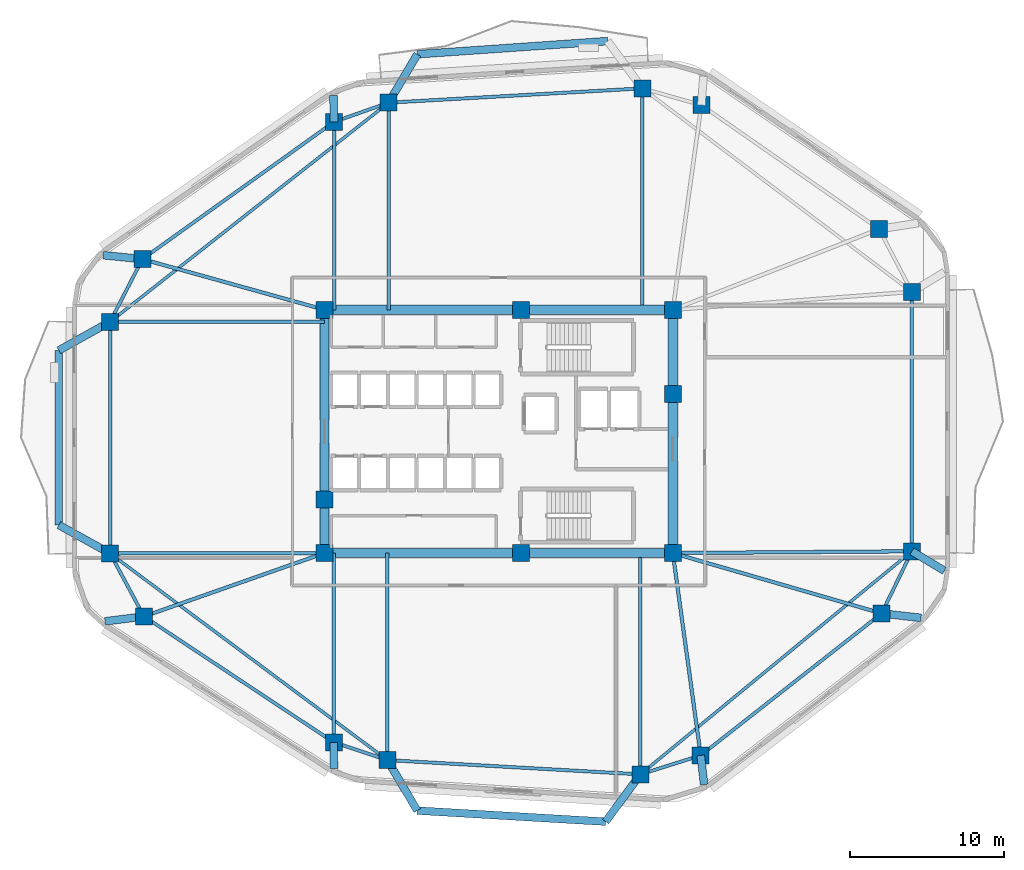
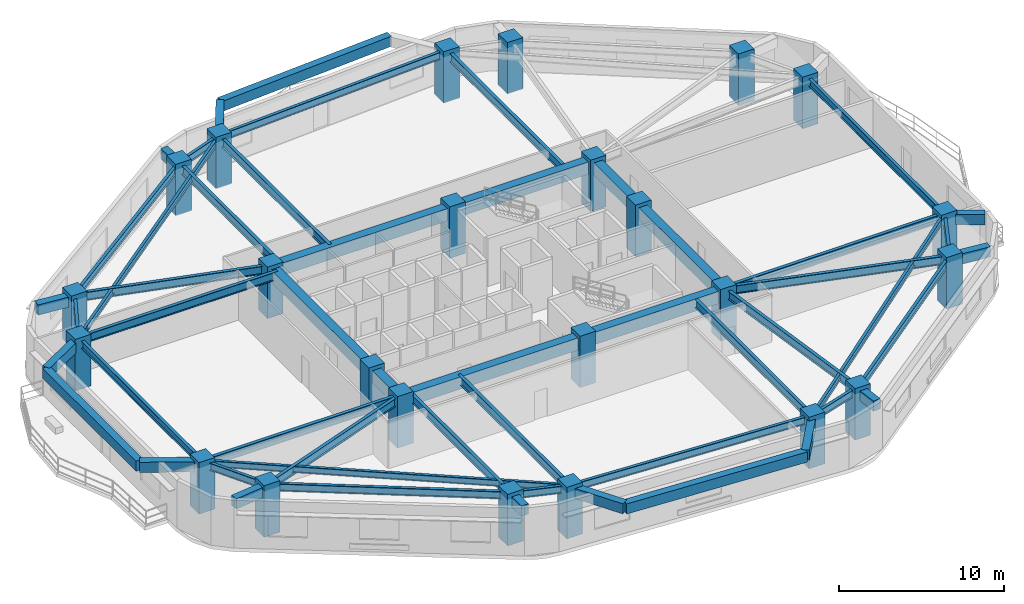
# One storey, part 1 of 9: 52 beams, 24 columns.
"""IFC4 building model written with IfcOpenShell, lengths in metres."""

from ifc_helpers import new_model, si_unit, direction, frame, origin, origin_2d, place, context, subcontext, project, spatial, rectangle, i_section, extrude, material, material_profile, profile_set, type_object, element, save


model = new_model("IFC4")

# Units and contexts
model_context = context("Model", 3, precision=1e-05, world=origin(), true_north=direction((0.0, 1.0)))
body_context = subcontext(model_context, "Body", "Model", "MODEL_VIEW")
ifc_project = project(units=[si_unit("LENGTHUNIT", "METRE"), si_unit("AREAUNIT", "SQUARE_METRE"), si_unit("VOLUMEUNIT", "CUBIC_METRE"), si_unit("PLANEANGLEUNIT", "RADIAN"), si_unit("MASSUNIT", "GRAM", prefix="KILO")], contexts=[model_context])

# Site, building, storey
site_placement = place(None, origin())
site = spatial("IfcSite", under=ifc_project, at=site_placement, CompositionType="ELEMENT")
building_placement = place(site_placement, origin())
building = spatial("IfcBuilding", under=site, at=building_placement, Name="Zulverin Broadcast Headquarters", CompositionType="ELEMENT")
storey_placement = place(building_placement, frame((0.0, 0.0, 104.800048828125)))
storey = spatial("IfcBuildingStorey", under=building, at=storey_placement, Name="L26", CompositionType="ELEMENT", Elevation=104.800048828125)

# Columns
ifc_material_1 = material(Name="Concrete C60/75", Category="concrete")
ifc_material_profile_1 = material_profile(ifc_material_1, rectangle(XDim=1.10009765625, YDim=1.10009765625, at=origin_2d()), Name="Concrete C60/75", Category="concrete")
ifc_profile_set_1 = profile_set([ifc_material_profile_1], Name="Concrete C60/75")
column_type_1 = type_object("IfcColumnType", Name="COL-RC-1100", PredefinedType="COLUMN", material=ifc_profile_set_1)
for number, where, z_axis, x_axis, name in (
    (1, (29.79638671875, 3.922119140625, 0.0), (0.0, 0.0, 1.0), (1.0, 0.0, 0.0), "L26 Perimeter Column T01"),
    (2, (46.175048828125, 2.997802734375, 0.0), (0.0, 0.0, 1.0), (1.0, 0.0, 0.0), "L26 Perimeter Column T02"),
    (3, (50.08056640625, 4.22509765625, 0.0), (0.0, 0.0, 1.0), (1.0, 0.0, 0.0), "L26 Perimeter Column T03"),
    (4, (61.79296875, 13.416259765625, 0.0), (0.0, 0.0, 1.0), (1.0, 0.0, 0.0), "L26 Perimeter Column T04"),
    (5, (63.75, 17.439697265625, 0.0), (0.0, 0.0, 1.0), (1.0, 0.0, 0.0), "L26 Perimeter Column T05"),
    (6, (63.75, 34.235107421875, 0.0), (0.0, 0.0, 1.0), (1.0, 0.0, 0.0), "L26 Perimeter Column T06"),
    (7, (61.630126953125, 38.298583984375, 0.0), (0.0, 0.0, 1.0), (1.0, 0.0, 0.0), "L26 Perimeter Column T07"),
    (8, (50.121826171875, 46.325927734375, 0.0), (0.0, 0.0, 1.0), (1.0, 0.0, 0.0), "L26 Perimeter Column T08"),
    (9, (46.30224609375, 47.4091796875, 0.0), (0.0, 0.0, 1.0), (1.0, 0.0, 0.0), "L26 Perimeter Column T09"),
    (10, (29.873779296875, 46.482177734375, 0.0), (0.0, 0.0, 1.0), (1.0, 0.0, 0.0), "L26 Perimeter Column T10"),
    (11, (26.344482421875, 45.23828125, 0.0), (0.0, 0.0, 1.0), (1.0, 0.0, 0.0), "L26 Perimeter Column T11"),
    (12, (13.934326171875, 36.353759765625, 0.0), (0.0, 0.0, 1.0), (1.0, 0.0, 0.0), "L26 Perimeter Column T12"),
    (13, (11.85009765625, 32.298095703125, 0.0), (0.0, 0.0, 1.0), (1.0, 0.0, 0.0), "L26 Perimeter Column T13"),
    (14, (11.85009765625, 17.297607421875, 0.0), (0.0, 0.0, 1.0), (1.0, 0.0, 0.0), "L26 Perimeter Column T14"),
    (15, (14.0390625, 13.219970703125, 0.0), (0.0, 0.0, 1.0), (1.0, 0.0, 0.0), "L26 Perimeter Column T15"),
    (16, (26.3251953125, 5.075927734375, 0.0), (0.0, 0.0, 1.0), (1.0, 0.0, 0.0), "L26 Perimeter Column T16"),
):
    element("IfcColumn", number, at=place(storey_placement, frame(where, z_axis=z_axis, x_axis=x_axis)), inside=storey, type_object=column_type_1, Name=name, PredefinedType="COLUMN", context=body_context, shape_type="SweptSolid", body=[
        extrude(rectangle(XDim=1.10009765625, YDim=1.10009765625, at=origin_2d()), origin(), (0.0, 0.0, 1.0), 3.800048828125),
    ])
ifc_material_profile_2 = material_profile(ifc_material_1, rectangle(XDim=1.10009765625, YDim=1.10009765625, at=origin_2d()), Name="Concrete C60/75", Category="concrete")
ifc_profile_set_2 = profile_set([ifc_material_profile_2], Name="Concrete C60/75")
column_type_2 = type_object("IfcColumnType", Name="PIL-RC-1100", PredefinedType="PILASTER", material=ifc_profile_set_2)
for number, where, z_axis, x_axis, name in (
    (17, (25.72509765625, 17.324951171875, 0.0), (0.0, 0.0, 1.0), (1.0, 0.0, 0.0), "L26 Core Pilaster K01"),
    (18, (38.449951171875, 17.324951171875, 0.0), (0.0, 0.0, 1.0), (1.0, 0.0, 0.0), "L26 Core Pilaster K02"),
    (19, (48.27490234375, 17.324951171875, 0.0), (0.0, 0.0, 1.0), (1.0, 0.0, 0.0), "L26 Core Pilaster K03"),
    (20, (48.27490234375, 27.6201171875, 0.0), (0.0, 0.0, 1.0), (1.0, 0.0, 0.0), "L26 Core Pilaster K04"),
    (21, (48.27490234375, 33.074951171875, 0.0), (0.0, 0.0, 1.0), (1.0, 0.0, 0.0), "L26 Core Pilaster K05"),
    (22, (38.449951171875, 33.074951171875, 0.0), (0.0, 0.0, 1.0), (1.0, 0.0, 0.0), "L26 Core Pilaster K06"),
    (23, (25.72509765625, 33.074951171875, 0.0), (0.0, 0.0, 1.0), (1.0, 0.0, 0.0), "L26 Core Pilaster K07"),
    (24, (25.72509765625, 20.800048828125, 0.0), (0.0, 0.0, 1.0), (1.0, 0.0, 0.0), "L26 Core Pilaster K08"),
):
    element("IfcColumn", number, at=place(storey_placement, frame(where, z_axis=z_axis, x_axis=x_axis)), inside=storey, type_object=column_type_2, Name=name, PredefinedType="PILASTER", context=body_context, shape_type="SweptSolid", body=[
        extrude(rectangle(XDim=1.10009765625, YDim=1.10009765625, at=origin_2d()), origin(), (0.0, 0.0, 1.0), 3.800048828125),
    ])

# Beams
ifc_material_profile_3 = material_profile(ifc_material_1, rectangle(XDim=0.60009765625, YDim=0.89990234375, at=origin_2d()), Name="Concrete C60/75", Category="concrete")
ifc_profile_set_3 = profile_set([ifc_material_profile_3], Name="Concrete C60/75")
beam_type_1 = type_object("IfcBeamType", Name="BM-CB-600x900", PredefinedType="LINTEL", material=ifc_profile_set_3)
beam_1_placement = place(storey_placement, frame((25.72509765625, 17.324951171875, 3.074951171875), z_axis=(1.0, 0.0, 0.0), x_axis=(0.0, 1.0, 0.0)))
element("IfcBeam", 25, at=beam_1_placement, inside=storey, type_object=beam_type_1, Name="L26 Core Coupling Girder K01-K02", PredefinedType="LINTEL", context=body_context, shape_type="SweptSolid", body=[
    extrude(rectangle(XDim=0.60009765625, YDim=0.89990234375, at=origin_2d()), origin(), (0.0, 0.0, 1.0), 12.724853515625),
])
beam_2_placement = place(storey_placement, frame((38.449951171875, 17.324951171875, 3.074951171875), z_axis=(1.0, 0.0, 0.0), x_axis=(0.0, 1.0, 0.0)))
element("IfcBeam", 26, at=beam_2_placement, inside=storey, type_object=beam_type_1, Name="L26 Core Coupling Girder K02-K03", PredefinedType="LINTEL", context=body_context, shape_type="SweptSolid", body=[
    extrude(rectangle(XDim=0.60009765625, YDim=0.89990234375, at=origin_2d()), origin(), (0.0, 0.0, 1.0), 9.824951171875),
])
beam_3_placement = place(storey_placement, frame((48.27490234375, 17.324951171875, 3.074951171875), z_axis=(0.0, 1.0, 0.0), x_axis=(-1.0, 0.0, 0.0)))
element("IfcBeam", 27, at=beam_3_placement, inside=storey, type_object=beam_type_1, Name="L26 Core Coupling Girder K03-K04", PredefinedType="LINTEL", context=body_context, shape_type="SweptSolid", body=[
    extrude(rectangle(XDim=0.60009765625, YDim=0.89990234375, at=origin_2d()), origin(), (0.0, 0.0, 1.0), 10.295166015625),
])
beam_4_placement = place(storey_placement, frame((48.27490234375, 27.6201171875, 3.074951171875), z_axis=(0.0, 1.0, 0.0), x_axis=(-1.0, 0.0, 0.0)))
element("IfcBeam", 28, at=beam_4_placement, inside=storey, type_object=beam_type_1, Name="L26 Core Coupling Girder K04-K05", PredefinedType="LINTEL", context=body_context, shape_type="SweptSolid", body=[
    extrude(rectangle(XDim=0.60009765625, YDim=0.89990234375, at=origin_2d()), origin(), (0.0, 0.0, 1.0), 5.454833984375),
])
beam_5_placement = place(storey_placement, frame((48.27490234375, 33.074951171875, 3.074951171875), z_axis=(-1.0, 0.0, 0.0), x_axis=(0.0, -1.0, 0.0)))
element("IfcBeam", 29, at=beam_5_placement, inside=storey, type_object=beam_type_1, Name="L26 Core Coupling Girder K05-K06", PredefinedType="LINTEL", context=body_context, shape_type="SweptSolid", body=[
    extrude(rectangle(XDim=0.60009765625, YDim=0.89990234375, at=origin_2d()), origin(), (0.0, 0.0, 1.0), 9.824951171875),
])
beam_6_placement = place(storey_placement, frame((38.449951171875, 33.074951171875, 3.074951171875), z_axis=(-1.0, 0.0, 0.0), x_axis=(0.0, -1.0, 0.0)))
element("IfcBeam", 30, at=beam_6_placement, inside=storey, type_object=beam_type_1, Name="L26 Core Coupling Girder K06-K07", PredefinedType="LINTEL", context=body_context, shape_type="SweptSolid", body=[
    extrude(rectangle(XDim=0.60009765625, YDim=0.89990234375, at=origin_2d()), origin(), (0.0, 0.0, 1.0), 12.724853515625),
])
beam_7_placement = place(storey_placement, frame((25.72509765625, 33.074951171875, 3.074951171875), z_axis=(0.0, -1.0, 0.0), x_axis=(1.0, 0.0, 0.0)))
element("IfcBeam", 31, at=beam_7_placement, inside=storey, type_object=beam_type_1, Name="L26 Core Coupling Girder K07-K08", PredefinedType="LINTEL", context=body_context, shape_type="SweptSolid", body=[
    extrude(rectangle(XDim=0.60009765625, YDim=0.89990234375, at=origin_2d()), origin(), (0.0, 0.0, 1.0), 12.27490234375),
])
beam_8_placement = place(storey_placement, frame((25.72509765625, 20.800048828125, 3.074951171875), z_axis=(0.0, -1.0, 0.0), x_axis=(1.0, 0.0, 0.0)))
element("IfcBeam", 32, at=beam_8_placement, inside=storey, type_object=beam_type_1, Name="L26 Core Coupling Girder K08-K01", PredefinedType="LINTEL", context=body_context, shape_type="SweptSolid", body=[
    extrude(rectangle(XDim=0.60009765625, YDim=0.89990234375, at=origin_2d()), origin(), (0.0, 0.0, 1.0), 3.47509765625),
])
ifc_material_2 = material(Name="Concrete C40/50", Category="concrete")
ifc_material_profile_4 = material_profile(ifc_material_2, rectangle(XDim=0.5, YDim=0.75, at=origin_2d()), Name="Concrete C40/50", Category="concrete")
ifc_profile_set_4 = profile_set([ifc_material_profile_4], Name="Concrete C40/50")
beam_type_2 = type_object("IfcBeamType", Name="BM-RC-500x750", PredefinedType="BEAM", material=ifc_profile_set_4)
beam_9_placement = place(storey_placement, frame((50.08056640625, 4.22509765625, 3.14990234375), z_axis=(0.115916621896, -0.99325894749, 0.0), x_axis=(0.99325894749, 0.115916621896, 0.0)))
element("IfcBeam", 33, at=beam_9_placement, inside=storey, type_object=beam_type_2, Name="L27 Plate Overhang Back-Spanned Beam OVR-03", PredefinedType="BEAM", context=body_context, shape_type="SweptSolid", body=[
    extrude(rectangle(XDim=0.5, YDim=0.75, at=origin_2d()), origin(), (0.0, 0.0, 1.0), 1.899658203125),
])
beam_10_placement = place(storey_placement, frame((61.79296875, 13.416259765625, 3.14990234375), z_axis=(0.993797661948, -0.111203449166, 0.0), x_axis=(0.111203449166, 0.993797661948, 0.0)))
element("IfcBeam", 34, at=beam_10_placement, inside=storey, type_object=beam_type_2, Name="L27 Plate Overhang Back-Spanned Beam OVR-04", PredefinedType="BEAM", context=body_context, shape_type="SweptSolid", body=[
    extrude(rectangle(XDim=0.5, YDim=0.75, at=origin_2d()), origin(), (0.0, 0.0, 1.0), 2.568603515625),
])
beam_11_placement = place(storey_placement, frame((63.75, 17.439697265625, 3.14990234375), z_axis=(0.858161199639, -0.513380322407, 0.0), x_axis=(0.513380322407, 0.858161199639, 0.0)))
element("IfcBeam", 35, at=beam_11_placement, inside=storey, type_object=beam_type_2, Name="L27 Plate Overhang Back-Spanned Beam OVR-05", PredefinedType="BEAM", context=body_context, shape_type="SweptSolid", body=[
    extrude(rectangle(XDim=0.5, YDim=0.75, at=origin_2d()), origin(), (0.0, 0.0, 1.0), 2.447265625),
])
beam_12_placement = place(storey_placement, frame((26.344482421875, 45.23828125, 3.14990234375), z_axis=(-0.025024345209, 0.999686842039, 0.0), x_axis=(-0.999686842039, -0.025024345209, 0.0)))
element("IfcBeam", 36, at=beam_12_placement, inside=storey, type_object=beam_type_2, Name="L27 Plate Overhang Back-Spanned Beam OVR-11", PredefinedType="BEAM", context=body_context, shape_type="SweptSolid", body=[
    extrude(rectangle(XDim=0.5, YDim=0.75, at=origin_2d()), origin(), (0.0, 0.0, 1.0), 1.707275390625),
])
beam_13_placement = place(storey_placement, frame((13.934326171875, 36.353759765625, 3.14990234375), z_axis=(-0.995008621602, 0.09978899207, 0.0), x_axis=(-0.09978899207, -0.995008621602, 0.0)))
element("IfcBeam", 37, at=beam_13_placement, inside=storey, type_object=beam_type_2, Name="L27 Plate Overhang Back-Spanned Beam OVR-12", PredefinedType="BEAM", context=body_context, shape_type="SweptSolid", body=[
    extrude(rectangle(XDim=0.5, YDim=0.75, at=origin_2d()), origin(), (0.0, 0.0, 1.0), 2.5419921875),
])
beam_14_placement = place(storey_placement, frame((14.0390625, 13.219970703125, 3.14990234375), z_axis=(-0.992258640565, -0.124188526941, 0.0), x_axis=(0.124188526941, -0.992258640565, 0.0)))
element("IfcBeam", 38, at=beam_14_placement, inside=storey, type_object=beam_type_2, Name="L27 Plate Overhang Back-Spanned Beam OVR-15", PredefinedType="BEAM", context=body_context, shape_type="SweptSolid", body=[
    extrude(rectangle(XDim=0.5, YDim=0.75, at=origin_2d()), origin(), (0.0, 0.0, 1.0), 2.5400390625),
])
beam_15_placement = place(storey_placement, frame((26.3251953125, 5.075927734375, 3.14990234375), z_axis=(0.006204786761, -0.999980750125, 0.0), x_axis=(0.999980750125, 0.006204786761, 0.0)))
element("IfcBeam", 39, at=beam_15_placement, inside=storey, type_object=beam_type_2, Name="L27 Plate Overhang Back-Spanned Beam OVR-16", PredefinedType="BEAM", context=body_context, shape_type="SweptSolid", body=[
    extrude(rectangle(XDim=0.5, YDim=0.75, at=origin_2d()), origin(), (0.0, 0.0, 1.0), 1.69189453125),
])
beam_16_placement = place(storey_placement, frame((29.873779296875, 46.482177734375, 3.14990234375), z_axis=(0.511007233639, 0.859576411477, 0.0), x_axis=(-0.859576411477, 0.511007233639, 0.0)))
element("IfcBeam", 40, at=beam_16_placement, inside=storey, type_object=beam_type_2, Name="L27 Balcony Column-Framed Cantilever BAL_N-2", PredefinedType="BEAM", context=body_context, shape_type="SweptSolid", body=[
    extrude(rectangle(XDim=0.5, YDim=0.75, at=origin_2d()), origin(), (0.0, 0.0, 1.0), 3.647705078125),
])
beam_17_placement = place(storey_placement, frame((44.049072265625, 50.46923828125, 3.14990234375), z_axis=(-0.997616354187, -0.069004419129, 0.0), x_axis=(0.069004419129, -0.997616354187, 0.0)))
element("IfcBeam", 41, at=beam_17_placement, inside=storey, type_object=beam_type_2, Name="L27 Balcony Outer Edge Trimmer Beam BAL_N", PredefinedType="BEAM", context=body_context, shape_type="SweptSolid", body=[
    extrude(rectangle(XDim=0.5, YDim=0.75, at=origin_2d()), origin(), (0.0, 0.0, 1.0), 12.340576171875),
])
beam_18_placement = place(storey_placement, frame((11.85009765625, 32.298095703125, 3.14990234375), z_axis=(-0.873763019306, -0.486351915893, 0.0), x_axis=(0.486351915893, -0.873763019306, 0.0)))
element("IfcBeam", 42, at=beam_18_placement, inside=storey, type_object=beam_type_2, Name="L27 Balcony Column-Framed Cantilever BAL_W-1", PredefinedType="BEAM", context=body_context, shape_type="SweptSolid", body=[
    extrude(rectangle(XDim=0.5, YDim=0.75, at=origin_2d()), origin(), (0.0, 0.0, 1.0), 3.800048828125),
])
beam_19_placement = place(storey_placement, frame((11.85009765625, 17.297607421875, 3.14990234375), z_axis=(-0.874363278793, 0.485271940975, 0.0), x_axis=(-0.485271940975, -0.874363278793, 0.0)))
element("IfcBeam", 43, at=beam_19_placement, inside=storey, type_object=beam_type_2, Name="L27 Balcony Column-Framed Cantilever BAL_W-2", PredefinedType="BEAM", context=body_context, shape_type="SweptSolid", body=[
    extrude(rectangle(XDim=0.5, YDim=0.75, at=origin_2d()), origin(), (0.0, 0.0, 1.0), 3.7998046875),
])
beam_20_placement = place(storey_placement, frame((8.52978515625, 30.449951171875, 3.14990234375), z_axis=(-0.000194304709, -0.999999981123, 0.0), x_axis=(0.999999981123, -0.000194304709, 0.0)))
element("IfcBeam", 44, at=beam_20_placement, inside=storey, type_object=beam_type_2, Name="L27 Balcony Outer Edge Trimmer Beam BAL_W", PredefinedType="BEAM", context=body_context, shape_type="SweptSolid", body=[
    extrude(rectangle(XDim=0.5, YDim=0.75, at=origin_2d()), origin(), (0.0, 0.0, 1.0), 11.308349609375),
])
beam_21_placement = place(storey_placement, frame((29.79638671875, 3.922119140625, 3.14990234375), z_axis=(0.509317980618, -0.860578407014, 0.0), x_axis=(0.860578407014, 0.509317980618, 0.0)))
element("IfcBeam", 45, at=beam_21_placement, inside=storey, type_object=beam_type_2, Name="L27 Balcony Column-Framed Cantilever BAL_S-1", PredefinedType="BEAM", context=body_context, shape_type="SweptSolid", body=[
    extrude(rectangle(XDim=0.5, YDim=0.75, at=origin_2d()), origin(), (0.0, 0.0, 1.0), 3.7998046875),
])
beam_22_placement = place(storey_placement, frame((46.175048828125, 2.997802734375, 3.14990234375), z_axis=(-0.592479980496, -0.805585174088, 0.0), x_axis=(0.805585174088, -0.592479980496, 0.0)))
element("IfcBeam", 46, at=beam_22_placement, inside=storey, type_object=beam_type_2, Name="L27 Balcony Column-Framed Cantilever BAL_S-2", PredefinedType="BEAM", context=body_context, shape_type="SweptSolid", body=[
    extrude(rectangle(XDim=0.5, YDim=0.75, at=origin_2d()), origin(), (0.0, 0.0, 1.0), 3.800048828125),
])
beam_23_placement = place(storey_placement, frame((31.731689453125, 0.652099609375, 3.14990234375), z_axis=(0.998282016209, -0.058591945803, 0.0), x_axis=(0.058591945803, 0.998282016209, 0.0)))
element("IfcBeam", 47, at=beam_23_placement, inside=storey, type_object=beam_type_2, Name="L27 Balcony Outer Edge Trimmer Beam BAL_S", PredefinedType="BEAM", context=body_context, shape_type="SweptSolid", body=[
    extrude(rectangle(XDim=0.5, YDim=0.75, at=origin_2d()), origin(), (0.0, 0.0, 1.0), 12.212890625),
])
ifc_material_3 = material(Name="Structural steel S355JR", Category="steel")
ifc_material_profile_5 = material_profile(ifc_material_3, i_section(OverallWidth=0.19287109375, OverallDepth=0.46728515625, WebThickness=0.011474609375, FlangeThickness=0.01953125, at=origin_2d()), Name="Structural steel S355JR", Category="steel")
ifc_profile_set_5 = profile_set([ifc_material_profile_5], Name="Structural steel S355JR")
beam_type_3 = type_object("IfcBeamType", Name="BM-UB-457", PredefinedType="JOIST", material=ifc_profile_set_5)
beam_24_placement = place(storey_placement, frame((46.175048828125, 2.997802734375, 3.291259765625), z_axis=(0.772611370623, 0.634879256224, 0.0), x_axis=(-0.634879256224, 0.772611370623, 0.0)))
element("IfcBeam", 48, at=beam_24_placement, inside=storey, type_object=beam_type_3, Name="L26 Chordal Floor Joist J-01", PredefinedType="JOIST", context=body_context, shape_type="SweptSolid", body=[
    extrude(i_section(OverallWidth=0.19287109375, OverallDepth=0.46728515625, WebThickness=0.011474609375, FlangeThickness=0.01953125, at=origin_2d()), origin(), (0.0, 0.0, 1.0), 22.74755859375),
])
beam_25_placement = place(storey_placement, frame((29.873779296875, 46.482177734375, 3.291259765625), z_axis=(-0.78583902739, -0.618431098047, 0.0), x_axis=(0.618431098047, -0.78583902739, 0.0)))
element("IfcBeam", 49, at=beam_25_placement, inside=storey, type_object=beam_type_3, Name="L26 Chordal Floor Joist J-03", PredefinedType="JOIST", context=body_context, shape_type="SweptSolid", body=[
    extrude(i_section(OverallWidth=0.19287109375, OverallDepth=0.46728515625, WebThickness=0.011474609375, FlangeThickness=0.01953125, at=origin_2d()), origin(), (0.0, 0.0, 1.0), 22.935546875),
])
beam_26_placement = place(storey_placement, frame((11.85009765625, 17.297607421875, 3.291259765625), z_axis=(0.801802688634, -0.59758886243, 0.0), x_axis=(0.59758886243, 0.801802688634, 0.0)))
element("IfcBeam", 50, at=beam_26_placement, inside=storey, type_object=beam_type_3, Name="L26 Chordal Floor Joist J-04", PredefinedType="JOIST", context=body_context, shape_type="SweptSolid", body=[
    extrude(i_section(OverallWidth=0.19287109375, OverallDepth=0.46728515625, WebThickness=0.011474609375, FlangeThickness=0.01953125, at=origin_2d()), origin(), (0.0, 0.0, 1.0), 22.38232421875),
])
ifc_material_profile_6 = material_profile(ifc_material_3, i_section(OverallWidth=0.2119140625, OverallDepth=0.54443359375, WebThickness=0.0126953125, FlangeThickness=0.021240234375, at=origin_2d()), Name="Structural steel S355JR", Category="steel")
ifc_profile_set_6 = profile_set([ifc_material_profile_6], Name="Structural steel S355JR")
beam_type_4 = type_object("IfcBeamType", Name="BM-UB-533", PredefinedType="SPANDREL", material=ifc_profile_set_6)
beam_27_placement = place(storey_placement, frame((29.79638671875, 3.922119140625, 3.252685546875), z_axis=(0.998411385104, -0.056344530297, 0.0), x_axis=(0.056344530297, 0.998411385104, 0.0)))
element("IfcBeam", 51, at=beam_27_placement, inside=storey, type_object=beam_type_4, Name="L26 Perimeter Spandrel Beam SP-01", PredefinedType="SPANDREL", context=body_context, shape_type="SweptSolid", body=[
    extrude(i_section(OverallWidth=0.2119140625, OverallDepth=0.54443359375, WebThickness=0.0126953125, FlangeThickness=0.021240234375, at=origin_2d()), origin(), (0.0, 0.0, 1.0), 16.40478515625),
])
beam_28_placement = place(storey_placement, frame((46.175048828125, 2.997802734375, 3.252685546875), z_axis=(0.954004438448, 0.299792480595, 0.0), x_axis=(-0.299792480595, 0.954004438448, 0.0)))
element("IfcBeam", 52, at=beam_28_placement, inside=storey, type_object=beam_type_4, Name="L26 Perimeter Spandrel Beam SP-02", PredefinedType="SPANDREL", context=body_context, shape_type="SweptSolid", body=[
    extrude(i_section(OverallWidth=0.2119140625, OverallDepth=0.54443359375, WebThickness=0.0126953125, FlangeThickness=0.021240234375, at=origin_2d()), origin(), (0.0, 0.0, 1.0), 4.09375),
])
beam_29_placement = place(storey_placement, frame((50.08056640625, 4.22509765625, 3.252685546875), z_axis=(0.786691476208, 0.617346354376, 0.0), x_axis=(-0.617346354376, 0.786691476208, 0.0)))
element("IfcBeam", 53, at=beam_29_placement, inside=storey, type_object=beam_type_4, Name="L26 Perimeter Spandrel Beam SP-03", PredefinedType="SPANDREL", context=body_context, shape_type="SweptSolid", body=[
    extrude(i_section(OverallWidth=0.2119140625, OverallDepth=0.54443359375, WebThickness=0.0126953125, FlangeThickness=0.021240234375, at=origin_2d()), origin(), (0.0, 0.0, 1.0), 14.88818359375),
])
beam_30_placement = place(storey_placement, frame((61.79296875, 13.416259765625, 3.252685546875), z_axis=(0.437408475872, 0.899262934428, 0.0), x_axis=(-0.899262934428, 0.437408475872, 0.0)))
element("IfcBeam", 54, at=beam_30_placement, inside=storey, type_object=beam_type_4, Name="L26 Perimeter Spandrel Beam SP-04", PredefinedType="SPANDREL", context=body_context, shape_type="SweptSolid", body=[
    extrude(i_section(OverallWidth=0.2119140625, OverallDepth=0.54443359375, WebThickness=0.0126953125, FlangeThickness=0.021240234375, at=origin_2d()), origin(), (0.0, 0.0, 1.0), 4.47412109375),
])
beam_31_placement = place(storey_placement, frame((63.75, 17.439697265625, 3.252685546875), z_axis=(0.0, 1.0, 0.0), x_axis=(-1.0, 0.0, 0.0)))
element("IfcBeam", 55, at=beam_31_placement, inside=storey, type_object=beam_type_4, Name="L26 Perimeter Spandrel Beam SP-05", PredefinedType="SPANDREL", context=body_context, shape_type="SweptSolid", body=[
    extrude(i_section(OverallWidth=0.2119140625, OverallDepth=0.54443359375, WebThickness=0.0126953125, FlangeThickness=0.021240234375, at=origin_2d()), origin(), (0.0, 0.0, 1.0), 16.79541015625),
])
beam_32_placement = place(storey_placement, frame((46.30224609375, 47.4091796875, 3.252685546875), z_axis=(-0.998411812904, -0.056336949274, 0.0), x_axis=(0.056336949274, -0.998411812904, 0.0)))
element("IfcBeam", 56, at=beam_32_placement, inside=storey, type_object=beam_type_4, Name="L26 Perimeter Spandrel Beam SP-09", PredefinedType="SPANDREL", context=body_context, shape_type="SweptSolid", body=[
    extrude(i_section(OverallWidth=0.2119140625, OverallDepth=0.54443359375, WebThickness=0.0126953125, FlangeThickness=0.021240234375, at=origin_2d()), origin(), (0.0, 0.0, 1.0), 16.45458984375),
])
beam_33_placement = place(storey_placement, frame((29.873779296875, 46.482177734375, 3.252685546875), z_axis=(-0.943135983398, -0.332407155189, 0.0), x_axis=(0.332407155189, -0.943135983398, 0.0)))
element("IfcBeam", 57, at=beam_33_placement, inside=storey, type_object=beam_type_4, Name="L26 Perimeter Spandrel Beam SP-10", PredefinedType="SPANDREL", context=body_context, shape_type="SweptSolid", body=[
    extrude(i_section(OverallWidth=0.2119140625, OverallDepth=0.54443359375, WebThickness=0.0126953125, FlangeThickness=0.021240234375, at=origin_2d()), origin(), (0.0, 0.0, 1.0), 3.7421875),
])
beam_34_placement = place(storey_placement, frame((26.344482421875, 45.23828125, 3.252685546875), z_axis=(-0.813109374453, -0.582110938891, 0.0), x_axis=(0.582110938891, -0.813109374453, 0.0)))
element("IfcBeam", 58, at=beam_34_placement, inside=storey, type_object=beam_type_4, Name="L26 Perimeter Spandrel Beam SP-11", PredefinedType="SPANDREL", context=body_context, shape_type="SweptSolid", body=[
    extrude(i_section(OverallWidth=0.2119140625, OverallDepth=0.54443359375, WebThickness=0.0126953125, FlangeThickness=0.021240234375, at=origin_2d()), origin(), (0.0, 0.0, 1.0), 15.2626953125),
])
beam_35_placement = place(storey_placement, frame((13.934326171875, 36.353759765625, 3.252685546875), z_axis=(-0.457080631948, -0.889425261558, 0.0), x_axis=(0.889425261558, -0.457080631948, 0.0)))
element("IfcBeam", 59, at=beam_35_placement, inside=storey, type_object=beam_type_4, Name="L26 Perimeter Spandrel Beam SP-12", PredefinedType="SPANDREL", context=body_context, shape_type="SweptSolid", body=[
    extrude(i_section(OverallWidth=0.2119140625, OverallDepth=0.54443359375, WebThickness=0.0126953125, FlangeThickness=0.021240234375, at=origin_2d()), origin(), (0.0, 0.0, 1.0), 4.559814453125),
])
beam_36_placement = place(storey_placement, frame((11.85009765625, 32.298095703125, 3.252685546875), z_axis=(0.0, -1.0, 0.0), x_axis=(1.0, 0.0, 0.0)))
element("IfcBeam", 60, at=beam_36_placement, inside=storey, type_object=beam_type_4, Name="L26 Perimeter Spandrel Beam SP-13", PredefinedType="SPANDREL", context=body_context, shape_type="SweptSolid", body=[
    extrude(i_section(OverallWidth=0.2119140625, OverallDepth=0.54443359375, WebThickness=0.0126953125, FlangeThickness=0.021240234375, at=origin_2d()), origin(), (0.0, 0.0, 1.0), 15.00048828125),
])
beam_37_placement = place(storey_placement, frame((11.85009765625, 17.297607421875, 3.252685546875), z_axis=(0.472979536362, -0.881073412482, 0.0), x_axis=(0.881073412482, 0.472979536362, 0.0)))
element("IfcBeam", 61, at=beam_37_placement, inside=storey, type_object=beam_type_4, Name="L26 Perimeter Spandrel Beam SP-14", PredefinedType="SPANDREL", context=body_context, shape_type="SweptSolid", body=[
    extrude(i_section(OverallWidth=0.2119140625, OverallDepth=0.54443359375, WebThickness=0.0126953125, FlangeThickness=0.021240234375, at=origin_2d()), origin(), (0.0, 0.0, 1.0), 4.6279296875),
])
beam_38_placement = place(storey_placement, frame((14.0390625, 13.219970703125, 3.252685546875), z_axis=(0.833510030956, -0.552504324232, 0.0), x_axis=(0.552504324232, 0.833510030956, 0.0)))
element("IfcBeam", 62, at=beam_38_placement, inside=storey, type_object=beam_type_4, Name="L26 Perimeter Spandrel Beam SP-15", PredefinedType="SPANDREL", context=body_context, shape_type="SweptSolid", body=[
    extrude(i_section(OverallWidth=0.2119140625, OverallDepth=0.54443359375, WebThickness=0.0126953125, FlangeThickness=0.021240234375, at=origin_2d()), origin(), (0.0, 0.0, 1.0), 14.740234375),
])
beam_39_placement = place(storey_placement, frame((26.3251953125, 5.075927734375, 3.252685546875), z_axis=(0.948949931395, -0.315426739047, 0.0), x_axis=(0.315426739047, 0.948949931395, 0.0)))
element("IfcBeam", 63, at=beam_39_placement, inside=storey, type_object=beam_type_4, Name="L26 Perimeter Spandrel Beam SP-16", PredefinedType="SPANDREL", context=body_context, shape_type="SweptSolid", body=[
    extrude(i_section(OverallWidth=0.2119140625, OverallDepth=0.54443359375, WebThickness=0.0126953125, FlangeThickness=0.021240234375, at=origin_2d()), origin(), (0.0, 0.0, 1.0), 3.657958984375),
])
ifc_material_profile_7 = material_profile(ifc_material_3, i_section(OverallWidth=0.230224609375, OverallDepth=0.6171875, WebThickness=0.01318359375, FlangeThickness=0.022216796875, at=origin_2d()), Name="Structural steel S355JR", Category="steel")
ifc_profile_set_7 = profile_set([ifc_material_profile_7], Name="Structural steel S355JR")
beam_type_5 = type_object("IfcBeamType", Name="BM-UB-610", PredefinedType="BEAM", material=ifc_profile_set_7)
beam_40_placement = place(storey_placement, frame((29.79638671875, 17.324951171875, 3.21630859375), z_axis=(0.0, -1.0, 0.0), x_axis=(1.0, 0.0, 0.0)))
element("IfcBeam", 64, at=beam_40_placement, inside=storey, type_object=beam_type_5, Name="L26 Radial Primary Floor Beam RB-01", PredefinedType="BEAM", context=body_context, shape_type="SweptSolid", body=[
    extrude(i_section(OverallWidth=0.230224609375, OverallDepth=0.6171875, WebThickness=0.01318359375, FlangeThickness=0.022216796875, at=origin_2d()), origin(), (0.0, 0.0, 1.0), 13.40283203125),
])
beam_41_placement = place(storey_placement, frame((46.175048828125, 17.324951171875, 3.21630859375), z_axis=(0.0, -1.0, 0.0), x_axis=(1.0, 0.0, 0.0)))
element("IfcBeam", 65, at=beam_41_placement, inside=storey, type_object=beam_type_5, Name="L26 Radial Primary Floor Beam RB-02", PredefinedType="BEAM", context=body_context, shape_type="SweptSolid", body=[
    extrude(i_section(OverallWidth=0.230224609375, OverallDepth=0.6171875, WebThickness=0.01318359375, FlangeThickness=0.022216796875, at=origin_2d()), origin(), (0.0, 0.0, 1.0), 14.3271484375),
])
beam_42_placement = place(storey_placement, frame((48.27490234375, 17.324951171875, 3.21630859375), z_axis=(0.136547433081, -0.990633533916, 0.0), x_axis=(0.990633533916, 0.136547433081, 0.0)))
element("IfcBeam", 66, at=beam_42_placement, inside=storey, type_object=beam_type_5, Name="L26 Radial Primary Floor Beam RB-03", PredefinedType="BEAM", context=body_context, shape_type="SweptSolid", body=[
    extrude(i_section(OverallWidth=0.230224609375, OverallDepth=0.6171875, WebThickness=0.01318359375, FlangeThickness=0.022216796875, at=origin_2d()), origin(), (0.0, 0.0, 1.0), 13.2236328125),
])
beam_43_placement = place(storey_placement, frame((48.27490234375, 17.324951171875, 3.21630859375), z_axis=(0.960648363311, -0.277767388416, 0.0), x_axis=(0.277767388416, 0.960648363311, 0.0)))
element("IfcBeam", 67, at=beam_43_placement, inside=storey, type_object=beam_type_5, Name="L26 Radial Primary Floor Beam RB-04", PredefinedType="BEAM", context=body_context, shape_type="SweptSolid", body=[
    extrude(i_section(OverallWidth=0.230224609375, OverallDepth=0.6171875, WebThickness=0.01318359375, FlangeThickness=0.022216796875, at=origin_2d()), origin(), (0.0, 0.0, 1.0), 14.07177734375),
])
beam_44_placement = place(storey_placement, frame((48.27490234375, 17.324951171875, 3.21630859375), z_axis=(0.999972510862, 0.007414682739, 0.0), x_axis=(-0.007414682739, 0.999972510862, 0.0)))
element("IfcBeam", 68, at=beam_44_placement, inside=storey, type_object=beam_type_5, Name="L26 Radial Primary Floor Beam RB-05", PredefinedType="BEAM", context=body_context, shape_type="SweptSolid", body=[
    extrude(i_section(OverallWidth=0.230224609375, OverallDepth=0.6171875, WebThickness=0.01318359375, FlangeThickness=0.022216796875, at=origin_2d()), origin(), (0.0, 0.0, 1.0), 15.4755859375),
])
beam_45_placement = place(storey_placement, frame((46.30224609375, 33.074951171875, 3.21630859375), z_axis=(0.0, 1.0, 0.0), x_axis=(-1.0, 0.0, 0.0)))
element("IfcBeam", 69, at=beam_45_placement, inside=storey, type_object=beam_type_5, Name="L26 Radial Primary Floor Beam RB-09", PredefinedType="BEAM", context=body_context, shape_type="SweptSolid", body=[
    extrude(i_section(OverallWidth=0.230224609375, OverallDepth=0.6171875, WebThickness=0.01318359375, FlangeThickness=0.022216796875, at=origin_2d()), origin(), (0.0, 0.0, 1.0), 14.334228515625),
])
beam_46_placement = place(storey_placement, frame((29.873779296875, 33.074951171875, 3.21630859375), z_axis=(0.0, 1.0, 0.0), x_axis=(-1.0, 0.0, 0.0)))
element("IfcBeam", 70, at=beam_46_placement, inside=storey, type_object=beam_type_5, Name="L26 Radial Primary Floor Beam RB-10", PredefinedType="BEAM", context=body_context, shape_type="SweptSolid", body=[
    extrude(i_section(OverallWidth=0.230224609375, OverallDepth=0.6171875, WebThickness=0.01318359375, FlangeThickness=0.022216796875, at=origin_2d()), origin(), (0.0, 0.0, 1.0), 13.4072265625),
])
beam_47_placement = place(storey_placement, frame((26.344482421875, 33.074951171875, 3.21630859375), z_axis=(0.0, 1.0, 0.0), x_axis=(-1.0, 0.0, 0.0)))
element("IfcBeam", 71, at=beam_47_placement, inside=storey, type_object=beam_type_5, Name="L26 Radial Primary Floor Beam RB-11", PredefinedType="BEAM", context=body_context, shape_type="SweptSolid", body=[
    extrude(i_section(OverallWidth=0.230224609375, OverallDepth=0.6171875, WebThickness=0.01318359375, FlangeThickness=0.022216796875, at=origin_2d()), origin(), (0.0, 0.0, 1.0), 12.163330078125),
])
beam_48_placement = place(storey_placement, frame((25.72509765625, 33.074951171875, 3.21630859375), z_axis=(-0.963442133037, 0.267916509922, 0.0), x_axis=(-0.267916509922, -0.963442133037, 0.0)))
element("IfcBeam", 72, at=beam_48_placement, inside=storey, type_object=beam_type_5, Name="L26 Radial Primary Floor Beam RB-12", PredefinedType="BEAM", context=body_context, shape_type="SweptSolid", body=[
    extrude(i_section(OverallWidth=0.230224609375, OverallDepth=0.6171875, WebThickness=0.01318359375, FlangeThickness=0.022216796875, at=origin_2d()), origin(), (0.0, 0.0, 1.0), 12.23828125),
])
for number, where, z_axis, x_axis, name in (
    (73, (25.72509765625, 32.298095703125, 3.21630859375), (-1.0, 0.0, 0.0), (0.0, -1.0, 0.0), "L26 Radial Primary Floor Beam RB-13"),
    (74, (25.72509765625, 17.324951171875, 3.21630859375), (-0.999998058136, -0.001970716894, 0.0), (0.001970716894, -0.999998058136, 0.0), "L26 Radial Primary Floor Beam RB-14"),
):
    element("IfcBeam", number, at=place(storey_placement, frame(where, z_axis=z_axis, x_axis=x_axis)), inside=storey, type_object=beam_type_5, Name=name, PredefinedType="BEAM", context=body_context, shape_type="SweptSolid", body=[
        extrude(i_section(OverallWidth=0.230224609375, OverallDepth=0.6171875, WebThickness=0.01318359375, FlangeThickness=0.022216796875, at=origin_2d()), origin(), (0.0, 0.0, 1.0), 13.875),
    ])
beam_49_placement = place(storey_placement, frame((25.72509765625, 17.324951171875, 3.21630859375), z_axis=(-0.943483462345, -0.331419607569, 0.0), x_axis=(0.331419607569, -0.943483462345, 0.0)))
element("IfcBeam", 75, at=beam_49_placement, inside=storey, type_object=beam_type_5, Name="L26 Radial Primary Floor Beam RB-15", PredefinedType="BEAM", context=body_context, shape_type="SweptSolid", body=[
    extrude(i_section(OverallWidth=0.230224609375, OverallDepth=0.6171875, WebThickness=0.01318359375, FlangeThickness=0.022216796875, at=origin_2d()), origin(), (0.0, 0.0, 1.0), 12.385986328125),
])
beam_50_placement = place(storey_placement, frame((26.3251953125, 17.324951171875, 3.21630859375), z_axis=(0.0, -1.0, 0.0), x_axis=(1.0, 0.0, 0.0)))
element("IfcBeam", 76, at=beam_50_placement, inside=storey, type_object=beam_type_5, Name="L26 Radial Primary Floor Beam RB-16", PredefinedType="BEAM", context=body_context, shape_type="SweptSolid", body=[
    extrude(i_section(OverallWidth=0.230224609375, OverallDepth=0.6171875, WebThickness=0.01318359375, FlangeThickness=0.022216796875, at=origin_2d()), origin(), (0.0, 0.0, 1.0), 12.2490234375),
])

save(model, "model.ifc")
